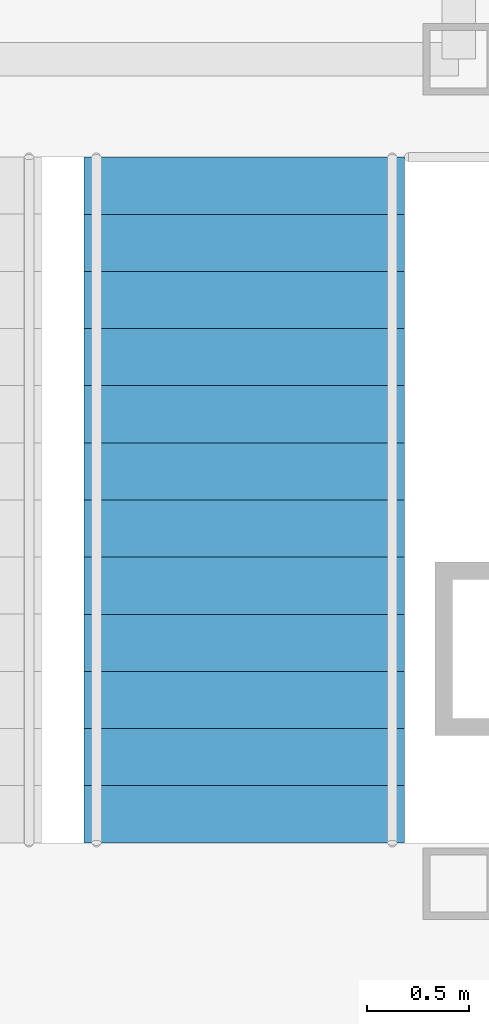
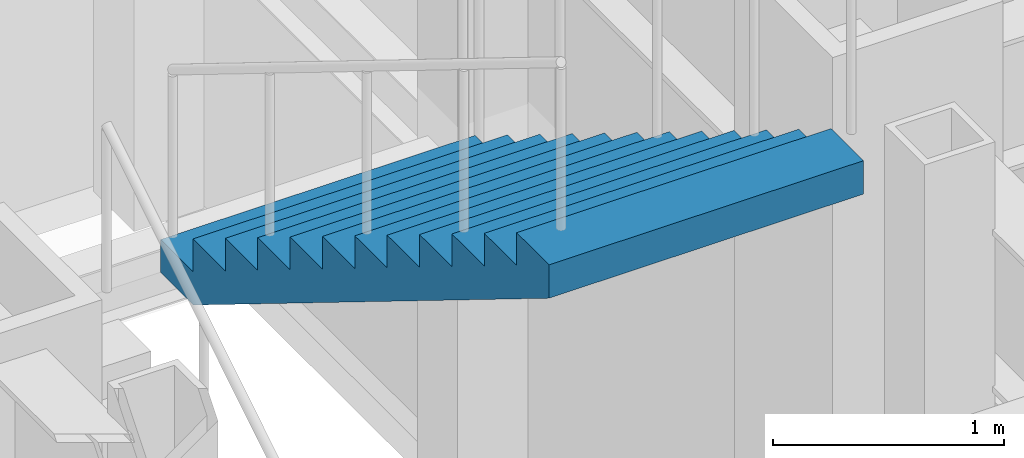
# One storey, part 13 of 17: 1 stair flight, 1 element without a shape of its own.
"""IFC4 building model written with IfcOpenShell, lengths in metres."""

import ifcopenshell
import ifcopenshell.guid

model = None  # the IFC model being written
_history = None  # IfcOwnerHistory: only IFC2X3 demands one
_inside = {}  # id of a spatial element -> (the spatial element, [elements in it])
_under = {}  # id of a project, library or spatial element -> (it, [spatial elements below it])
_declared = {}  # id of a project -> (the project, [libraries it declares])
_typed = {}  # id of a type object -> (the type object, [elements of that type])
_made_of = {}  # id of a material, layer set ... -> (it, [elements and type objects made of it])


def new_model(schema):
    """Start an empty IFC model of exactly this schema.

    Asked for "IFC4X3", IfcOpenShell would pick the latest addendum, in which some entities
    have other attributes; the version numbers below select the first issue.
    IFC2X3 requires an IfcOwnerHistory on every rooted entity: one is made here for all.
    """
    global model, _history
    if schema == "IFC4X3":
        model = ifcopenshell.file(schema_version=(4, 3, 0, 0))
    else:
        model = ifcopenshell.file(schema=schema)
    _inside.clear()
    _under.clear()
    _declared.clear()
    _typed.clear()
    _made_of.clear()
    _history = None
    if model.schema == "IFC2X3":
        org = make("IfcOrganization", Name="unknown")
        user = make(
            "IfcPersonAndOrganization",
            ThePerson=make("IfcPerson", FamilyName="unknown"),
            TheOrganization=org,
        )
        app = make(
            "IfcApplication",
            ApplicationDeveloper=org,
            Version="unknown",
            ApplicationFullName="unknown",
            ApplicationIdentifier="unknown",
        )
        _history = make(
            "IfcOwnerHistory",
            OwningUser=user,
            OwningApplication=app,
            ChangeAction="ADDED",
            CreationDate=0,
        )
    return model


def make(cls, **values):
    """One entity of the class cls with the attributes given. An attribute that is None is left unset."""
    return model.create_entity(
        cls, **{name: value for name, value in values.items() if value is not None}
    )


def rooted(cls, **values):
    """An entity with a GlobalId (a new one), such as an element, a storey or a relation."""
    return make(cls, GlobalId=ifcopenshell.guid.new(), OwnerHistory=_history, **values)


def si_unit(unit_type, name, prefix=None):
    """IfcSIUnit, for example si_unit("LENGTHUNIT", "METRE", prefix="MILLI")."""
    return make("IfcSIUnit", UnitType=unit_type, Prefix=prefix, Name=name)


def assignment(units):
    """IfcUnitAssignment: the units of a project."""
    return None if units is None else make("IfcUnitAssignment", Units=units)


def point(xyz):
    """IfcCartesianPoint."""
    return None if xyz is None else make("IfcCartesianPoint", Coordinates=xyz)


def direction(xyz):
    """IfcDirection."""
    return None if xyz is None else make("IfcDirection", DirectionRatios=xyz)


def frame(location, z_axis=None, x_axis=None):
    """IfcAxis2Placement3D, a coordinate frame: its origin and axes. An axis left out is left unset."""
    return make(
        "IfcAxis2Placement3D",
        Location=point(location),
        Axis=direction(z_axis),
        RefDirection=direction(x_axis),
    )


def origin():
    """The frame at (0, 0, 0) with its axes left unset."""
    return frame((0.0, 0.0, 0.0))


def place(relative_to, where):
    """IfcLocalPlacement: puts the frame where relative to a parent placement (None: the world)."""
    return make(
        "IfcLocalPlacement", PlacementRelTo=relative_to, RelativePlacement=where
    )


def context(
    kind, dimensions, precision=None, world=None, true_north=None, identifier=None
):
    """IfcGeometricRepresentationContext, for example the 3D "Model" context."""
    return make(
        "IfcGeometricRepresentationContext",
        ContextIdentifier=identifier,
        ContextType=kind,
        CoordinateSpaceDimension=dimensions,
        Precision=precision,
        WorldCoordinateSystem=world,
        TrueNorth=true_north,
    )


def subcontext(parent, identifier, kind, view, scale=None):
    """IfcGeometricRepresentationSubContext, for example "Body" below "Model"."""
    return make(
        "IfcGeometricRepresentationSubContext",
        ContextIdentifier=identifier,
        ContextType=kind,
        ParentContext=parent,
        TargetScale=scale,
        TargetView=view,
    )


def project(units=None, contexts=None):
    """IfcProject with its units and contexts."""
    return rooted(
        "IfcProject",
        Name="project",
        RepresentationContexts=contexts,
        UnitsInContext=assignment(units),
    )


def spatial(cls, under=None, at=None, **own):
    """A site, building, storey or space (cls), placed at a placement, below another one or the project."""
    s = rooted(cls, ObjectPlacement=at, **own)
    if under is not None:
        _under.setdefault(under.id(), (under, []))[1].append(s)
    return s


def faces_of(points, faces, orient=None, outer=None):
    """IfcFace entities. A face is a list of loops; a loop is a list of indices into points, from 0.

    orient and outer hold one flag for each loop. By default every Orientation is true, the
    first loop of a face is its IfcFaceOuterBound and the others are IfcFaceBound.
    """
    made = []
    for i, loops in enumerate(faces):
        bounds = []
        for j, loop in enumerate(loops):
            is_outer = j == 0 if outer is None else outer[i][j]
            bounds.append(
                make(
                    "IfcFaceOuterBound" if is_outer else "IfcFaceBound",
                    Bound=make("IfcPolyLoop", Polygon=[points[k] for k in loop]),
                    Orientation=True if orient is None else orient[i][j],
                )
            )
        made.append(make("IfcFace", Bounds=bounds))
    return made


def faceted_brep(points, faces, orient=None, outer=None, voids=None):
    """IfcFacetedBrep: a solid bounded by flat faces; with voids (closed shells), ...WithVoids."""
    shared = [point(p) for p in points]
    hull = make("IfcClosedShell", CfsFaces=faces_of(shared, faces, orient, outer))
    if voids is None:
        return make("IfcFacetedBrep", Outer=hull)
    return make(
        "IfcFacetedBrepWithVoids",
        Outer=hull,
        Voids=[
            make(cls, CfsFaces=faces_of(shared, fs, o, b)) for cls, fs, o, b in voids
        ],
    )


def shape(context_of_items, identifier, shape_type, items):
    """IfcShapeRepresentation: the items that make up one representation, for example the "Body"."""
    return make(
        "IfcShapeRepresentation",
        ContextOfItems=context_of_items,
        RepresentationIdentifier=identifier,
        RepresentationType=shape_type,
        Items=items,
    )


def material(Name=None, Category=None):
    """IfcMaterial."""
    return make("IfcMaterial", Name=Name, Category=Category)


def made_of(thing, what):
    """Note that an element or type object is made of a material, layer set ...; save() writes the relation."""
    if what is not None:
        _made_of.setdefault(what.id(), (what, []))[1].append(thing)
    return thing


def type_object(cls, material=None, **own):
    """A type object (cls), such as IfcWallType, which elements share."""
    return made_of(rooted(cls, **own), material)


def element(
    cls,
    number,
    at=None,
    inside=None,
    cuts=None,
    type_object=None,
    material=None,
    context=None,
    identifier="Body",
    shape_type=None,
    held_by="IfcProductDefinitionShape",
    body=None,
    shapes=None,
    **own,
):
    """One element of the class cls, such as IfcWall. Its Tag is "e" and its number.

    at: its placement. inside: the storey or other place that contains it. cuts: it is an
    opening in that element (IfcRelVoidsElement). A single representation is given by context,
    identifier, shape_type and body (its items); several are given by shapes. held_by: the class
    of the entity that holds the representations. save() writes the other relations.
    """
    e = rooted(cls, Tag="e%d" % number, ObjectPlacement=at, **own)
    if body is not None:
        shapes = [shape(context, identifier, shape_type, body)]
    if shapes is not None:
        e.Representation = make(held_by, Representations=shapes)
    if inside is not None:
        _inside.setdefault(inside.id(), (inside, []))[1].append(e)
    if cuts is not None:
        rooted(
            "IfcRelVoidsElement", RelatingBuildingElement=cuts, RelatedOpeningElement=e
        )
    if type_object is not None:
        _typed.setdefault(type_object.id(), (type_object, []))[1].append(e)
    return made_of(e, material)


def aggregate(whole, parts):
    """IfcRelAggregates: a whole, such as a stair, and the parts it consists of."""
    return rooted("IfcRelAggregates", RelatingObject=whole, RelatedObjects=parts)


def save(model, path):
    """Write the relations noted so far, then the file.

    IfcRelAggregates (storeys below a building ...), IfcRelContainedInSpatialStructure (elements
    in a storey), IfcRelDefinesByType, IfcRelAssociatesMaterial and IfcRelDeclares: one each for
    every whole, place, type object, material and project.
    """
    for whole, parts in _under.values():
        aggregate(whole, parts)
    for where, things in _inside.values():
        rooted(
            "IfcRelContainedInSpatialStructure",
            RelatedElements=things,
            RelatingStructure=where,
        )
    for kind, things in _typed.values():
        rooted("IfcRelDefinesByType", RelatedObjects=things, RelatingType=kind)
    for what, things in _made_of.values():
        rooted("IfcRelAssociatesMaterial", RelatedObjects=things, RelatingMaterial=what)
    for by, libraries in _declared.values():
        rooted("IfcRelDeclares", RelatingContext=by, RelatedDefinitions=libraries)
    model.write(path)


model = new_model("IFC4")

# Units and contexts
model_context = context("Model", 3, precision=1e-05, world=origin(), true_north=direction((0.0, 1.0)))
body_context = subcontext(model_context, "Body", "Model", "MODEL_VIEW")
ifc_project = project(units=[si_unit("LENGTHUNIT", "METRE"), si_unit("AREAUNIT", "SQUARE_METRE"), si_unit("VOLUMEUNIT", "CUBIC_METRE"), si_unit("PLANEANGLEUNIT", "RADIAN"), si_unit("MASSUNIT", "GRAM", prefix="KILO")], contexts=[model_context])

# Site, building, storey
site_placement = place(None, origin())
site = spatial("IfcSite", under=ifc_project, at=site_placement, CompositionType="ELEMENT")
building_placement = place(site_placement, origin())
building = spatial("IfcBuilding", under=site, at=building_placement, Name="Chuquiago Exchange Tower", CompositionType="ELEMENT")
storey_placement = place(building_placement, frame((0.0, 0.0, 64.800048828125)))
storey = spatial("IfcBuildingStorey", under=building, at=storey_placement, Name="L13", CompositionType="ELEMENT", Elevation=64.800048828125)

# Stair, stair flight
ifc_material_1 = material(Name="Concrete C30/37, precast", Category="concrete")
stair_type = type_object("IfcStairType", Name="ST2 half-turn stair 4500", PredefinedType="HALF_TURN_STAIR", material=ifc_material_1)
stair_placement = place(storey_placement, origin())
stair = element("IfcStair", 1, at=stair_placement, inside=storey, type_object=stair_type, Name="Stair ST2 L13", PredefinedType="HALF_TURN_STAIR")
ifc_material_2 = material(Name="Concrete C30/37, precast", Category="concrete")
stair_flight_type = type_object("IfcStairFlightType", Name="ST-F flight 1570 for 4500 storey", PredefinedType="STRAIGHT", material=ifc_material_2)
stair_flight_placement = place(storey_placement, frame((31.639892578125, 26.409912109375, 2.25), z_axis=(0.0, 0.0, 1.0), x_axis=(0.0, -1.0, 0.0)))
stair_flight = element("IfcStairFlight", 2, at=stair_flight_placement, type_object=stair_flight_type, Name="ST2 flight 2", NumberOfRisers=13, NumberOfTreads=12, PredefinedType="STRAIGHT", RiserHeight=0.173076923, TreadLength=0.28, context=body_context, shape_type="Brep", body=[
    faceted_brep([(0.0, 0.78515625, 0.0), (0.0, 0.78515625, 0.173095703125), (0.280029296875, 0.78515625, 0.173095703125), (0.280029296875, 0.78515625, 0.34619140625), (0.56005859375, 0.78515625, 0.34619140625), (0.56005859375, 0.78515625, 0.519287109375), (0.840087890625, 0.78515625, 0.519287109375), (0.840087890625, 0.78515625, 0.6923828125), (1.1201171875, 0.78515625, 0.6923828125), (1.1201171875, 0.78515625, 0.865478515625), (1.39990234375, 0.78515625, 0.865478515625), (1.39990234375, 0.78515625, 1.03857421875), (1.679931640625, 0.78515625, 1.03857421875), (1.679931640625, 0.78515625, 1.21142578125), (1.9599609375, 0.78515625, 1.21142578125), (1.9599609375, 0.78515625, 1.384521484375), (2.239990234375, 0.78515625, 1.384521484375), (2.239990234375, 0.78515625, 1.5576171875), (2.52001953125, 0.78515625, 1.5576171875), (2.52001953125, 0.78515625, 1.730712890625), (2.800048828125, 0.78515625, 1.730712890625), (2.800048828125, 0.78515625, 1.90380859375), (3.080078125, 0.78515625, 1.90380859375), (3.080078125, 0.78515625, 2.076904296875), (3.360107421875, 0.78515625, 2.076904296875), (3.360107421875, 0.78515625, 1.900634765625), (0.28515625, 0.78515625, 0.0), (0.28515625, -0.78515625, 0.0), (3.360107421875, -0.78515625, 1.900634765625), (3.360107421875, -0.78515625, 2.076904296875), (3.080078125, -0.78515625, 2.076904296875), (3.080078125, -0.78515625, 1.90380859375), (2.800048828125, -0.78515625, 1.90380859375), (2.800048828125, -0.78515625, 1.730712890625), (2.52001953125, -0.78515625, 1.730712890625), (2.52001953125, -0.78515625, 1.5576171875), (2.239990234375, -0.78515625, 1.5576171875), (2.239990234375, -0.78515625, 1.384521484375), (1.9599609375, -0.78515625, 1.384521484375), (1.9599609375, -0.78515625, 1.21142578125), (1.679931640625, -0.78515625, 1.21142578125), (1.679931640625, -0.78515625, 1.03857421875), (1.39990234375, -0.78515625, 1.03857421875), (1.39990234375, -0.78515625, 0.865478515625), (1.1201171875, -0.78515625, 0.865478515625), (1.1201171875, -0.78515625, 0.6923828125), (0.840087890625, -0.78515625, 0.6923828125), (0.840087890625, -0.78515625, 0.519287109375), (0.56005859375, -0.78515625, 0.519287109375), (0.56005859375, -0.78515625, 0.34619140625), (0.280029296875, -0.78515625, 0.34619140625), (0.280029296875, -0.78515625, 0.173095703125), (0.0, -0.78515625, 0.173095703125), (0.0, -0.78515625, 0.0), (0.0, 0.392578125, 0.0), (0.0, 0.392578125, 0.173095703125), (0.0, 0.0, 0.0), (0.0, 0.0, 0.173095703125), (0.0, -0.392578125, 0.0), (0.0, -0.392578125, 0.173095703125), (0.280029296875, 0.392578125, 0.173095703125), (0.280029296875, 0.0, 0.173095703125), (0.280029296875, -0.392578125, 0.173095703125), (0.280029296875, 0.392578125, 0.34619140625), (0.280029296875, 0.0, 0.34619140625), (0.280029296875, -0.392578125, 0.34619140625), (0.56005859375, 0.392578125, 0.34619140625), (0.56005859375, 0.0, 0.34619140625), (0.56005859375, -0.392578125, 0.34619140625), (0.56005859375, 0.392578125, 0.519287109375), (0.56005859375, 0.0, 0.519287109375), (0.56005859375, -0.392578125, 0.519287109375), (0.840087890625, 0.392578125, 0.519287109375), (0.840087890625, 0.0, 0.519287109375), (0.840087890625, -0.392578125, 0.519287109375), (0.840087890625, 0.392578125, 0.6923828125), (0.840087890625, 0.0, 0.6923828125), (0.840087890625, -0.392578125, 0.6923828125), (1.1201171875, 0.392578125, 0.6923828125), (1.1201171875, 0.0, 0.6923828125), (1.1201171875, -0.392578125, 0.6923828125), (1.1201171875, 0.392578125, 0.865478515625), (1.1201171875, 0.0, 0.865478515625), (1.1201171875, -0.392578125, 0.865478515625), (1.39990234375, 0.392578125, 0.865478515625), (1.39990234375, 0.0, 0.865478515625), (1.39990234375, -0.392578125, 0.865478515625), (1.39990234375, 0.392578125, 1.03857421875), (1.39990234375, 0.0, 1.03857421875), (1.39990234375, -0.392578125, 1.03857421875), (1.679931640625, 0.392578125, 1.03857421875), (1.679931640625, 0.0, 1.03857421875), (1.679931640625, -0.392578125, 1.03857421875), (1.679931640625, 0.392578125, 1.21142578125), (1.679931640625, 0.0, 1.21142578125), (1.679931640625, -0.392578125, 1.21142578125), (1.9599609375, 0.392578125, 1.21142578125), (1.9599609375, 0.0, 1.21142578125), (1.9599609375, -0.392578125, 1.21142578125), (1.9599609375, 0.392578125, 1.384521484375), (1.9599609375, 0.0, 1.384521484375), (1.9599609375, -0.392578125, 1.384521484375), (2.239990234375, 0.392578125, 1.384521484375), (2.239990234375, 0.0, 1.384521484375), (2.239990234375, -0.392578125, 1.384521484375), (2.239990234375, 0.392578125, 1.5576171875), (2.239990234375, 0.0, 1.5576171875), (2.239990234375, -0.392578125, 1.5576171875), (2.52001953125, 0.392578125, 1.5576171875), (2.52001953125, 0.0, 1.5576171875), (2.52001953125, -0.392578125, 1.5576171875), (2.52001953125, 0.392578125, 1.730712890625), (2.52001953125, 0.0, 1.730712890625), (2.52001953125, -0.392578125, 1.730712890625), (2.800048828125, 0.392578125, 1.730712890625), (2.800048828125, 0.0, 1.730712890625), (2.800048828125, -0.392578125, 1.730712890625), (2.800048828125, 0.392578125, 1.90380859375), (2.800048828125, 0.0, 1.90380859375), (2.800048828125, -0.392578125, 1.90380859375), (3.080078125, 0.392578125, 1.90380859375), (3.080078125, 0.0, 1.90380859375), (3.080078125, -0.392578125, 1.90380859375), (3.080078125, 0.392578125, 2.076904296875), (3.080078125, 0.0, 2.076904296875), (3.080078125, -0.392578125, 2.076904296875), (3.360107421875, 0.392578125, 2.076904296875), (3.360107421875, 0.0, 2.076904296875), (3.360107421875, -0.392578125, 2.076904296875), (3.360107421875, 0.392578125, 1.900634765625), (3.360107421875, 0.0, 1.900634765625), (3.360107421875, -0.392578125, 1.900634765625), (0.28515625, 0.392578125, 0.0), (0.28515625, 0.0, 0.0), (0.28515625, -0.392578125, 0.0)], [[[0, 1, 2, 3, 4, 5, 6, 7, 8, 9, 10, 11, 12, 13, 14, 15, 16, 17, 18, 19, 20, 21, 22, 23, 24, 25, 26]], [[27, 28, 29, 30, 31, 32, 33, 34, 35, 36, 37, 38, 39, 40, 41, 42, 43, 44, 45, 46, 47, 48, 49, 50, 51, 52, 53]], [[1, 0, 54, 55]], [[55, 54, 56, 57]], [[57, 56, 58, 59]], [[59, 58, 53, 52]], [[2, 1, 55, 60]], [[60, 55, 57, 61]], [[61, 57, 59, 62]], [[62, 59, 52, 51]], [[3, 2, 60, 63]], [[63, 60, 61, 64]], [[64, 61, 62, 65]], [[65, 62, 51, 50]], [[4, 3, 63, 66]], [[66, 63, 64, 67]], [[67, 64, 65, 68]], [[68, 65, 50, 49]], [[5, 4, 66, 69]], [[69, 66, 67, 70]], [[70, 67, 68, 71]], [[71, 68, 49, 48]], [[6, 5, 69, 72]], [[72, 69, 70, 73]], [[73, 70, 71, 74]], [[74, 71, 48, 47]], [[7, 6, 72, 75]], [[75, 72, 73, 76]], [[76, 73, 74, 77]], [[77, 74, 47, 46]], [[8, 7, 75, 78]], [[78, 75, 76, 79]], [[79, 76, 77, 80]], [[80, 77, 46, 45]], [[9, 8, 78, 81]], [[81, 78, 79, 82]], [[82, 79, 80, 83]], [[83, 80, 45, 44]], [[10, 9, 81, 84]], [[84, 81, 82, 85]], [[85, 82, 83, 86]], [[86, 83, 44, 43]], [[11, 10, 84, 87]], [[87, 84, 85, 88]], [[88, 85, 86, 89]], [[89, 86, 43, 42]], [[12, 11, 87, 90]], [[90, 87, 88, 91]], [[91, 88, 89, 92]], [[92, 89, 42, 41]], [[13, 12, 90, 93]], [[93, 90, 91, 94]], [[94, 91, 92, 95]], [[95, 92, 41, 40]], [[14, 13, 93, 96]], [[96, 93, 94, 97]], [[97, 94, 95, 98]], [[98, 95, 40, 39]], [[15, 14, 96, 99]], [[99, 96, 97, 100]], [[100, 97, 98, 101]], [[101, 98, 39, 38]], [[16, 15, 99, 102]], [[102, 99, 100, 103]], [[103, 100, 101, 104]], [[104, 101, 38, 37]], [[17, 16, 102, 105]], [[105, 102, 103, 106]], [[106, 103, 104, 107]], [[107, 104, 37, 36]], [[18, 17, 105, 108]], [[108, 105, 106, 109]], [[109, 106, 107, 110]], [[110, 107, 36, 35]], [[19, 18, 108, 111]], [[111, 108, 109, 112]], [[112, 109, 110, 113]], [[113, 110, 35, 34]], [[20, 19, 111, 114]], [[114, 111, 112, 115]], [[115, 112, 113, 116]], [[116, 113, 34, 33]], [[21, 20, 114, 117]], [[117, 114, 115, 118]], [[118, 115, 116, 119]], [[119, 116, 33, 32]], [[22, 21, 117, 120]], [[120, 117, 118, 121]], [[121, 118, 119, 122]], [[122, 119, 32, 31]], [[23, 22, 120, 123]], [[123, 120, 121, 124]], [[124, 121, 122, 125]], [[125, 122, 31, 30]], [[24, 23, 123, 126]], [[126, 123, 124, 127]], [[127, 124, 125, 128]], [[128, 125, 30, 29]], [[25, 24, 126, 129]], [[129, 126, 127, 130]], [[130, 127, 128, 131]], [[131, 128, 29, 28]], [[26, 25, 129, 132]], [[132, 129, 130, 133]], [[133, 130, 131, 134]], [[134, 131, 28, 27]], [[0, 26, 132, 54]], [[54, 132, 133, 56]], [[56, 133, 134, 58]], [[58, 134, 27, 53]]]),
])
aggregate(stair, [stair_flight])

save(model, "model.ifc")
